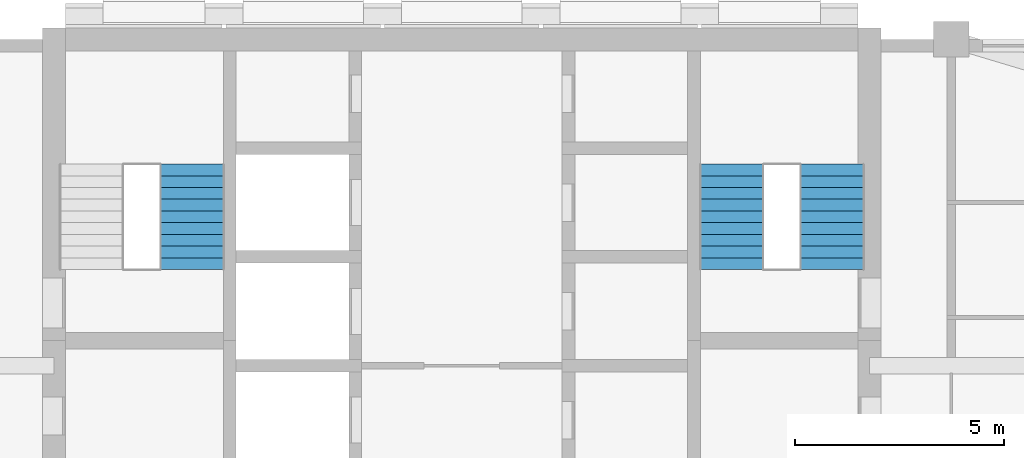
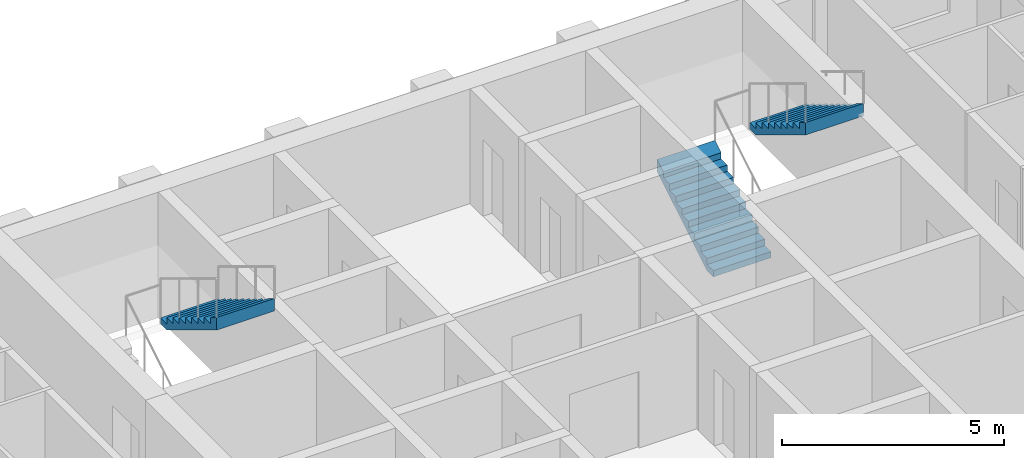
# One storey, part 12 of 14: 3 stair flights, 2 elements without a shape of their own.
"""IFC4 building model written with IfcOpenShell, lengths in metres."""

import ifcopenshell
import ifcopenshell.guid

model = None  # the IFC model being written
_history = None  # IfcOwnerHistory: only IFC2X3 demands one
_inside = {}  # id of a spatial element -> (the spatial element, [elements in it])
_under = {}  # id of a project, library or spatial element -> (it, [spatial elements below it])
_declared = {}  # id of a project -> (the project, [libraries it declares])
_typed = {}  # id of a type object -> (the type object, [elements of that type])
_made_of = {}  # id of a material, layer set ... -> (it, [elements and type objects made of it])


def new_model(schema):
    """Start an empty IFC model of exactly this schema.

    Asked for "IFC4X3", IfcOpenShell would pick the latest addendum, in which some entities
    have other attributes; the version numbers below select the first issue.
    IFC2X3 requires an IfcOwnerHistory on every rooted entity: one is made here for all.
    """
    global model, _history
    if schema == "IFC4X3":
        model = ifcopenshell.file(schema_version=(4, 3, 0, 0))
    else:
        model = ifcopenshell.file(schema=schema)
    _inside.clear()
    _under.clear()
    _declared.clear()
    _typed.clear()
    _made_of.clear()
    _history = None
    if model.schema == "IFC2X3":
        org = make("IfcOrganization", Name="unknown")
        user = make(
            "IfcPersonAndOrganization",
            ThePerson=make("IfcPerson", FamilyName="unknown"),
            TheOrganization=org,
        )
        app = make(
            "IfcApplication",
            ApplicationDeveloper=org,
            Version="unknown",
            ApplicationFullName="unknown",
            ApplicationIdentifier="unknown",
        )
        _history = make(
            "IfcOwnerHistory",
            OwningUser=user,
            OwningApplication=app,
            ChangeAction="ADDED",
            CreationDate=0,
        )
    return model


def make(cls, **values):
    """One entity of the class cls with the attributes given. An attribute that is None is left unset."""
    return model.create_entity(
        cls, **{name: value for name, value in values.items() if value is not None}
    )


def rooted(cls, **values):
    """An entity with a GlobalId (a new one), such as an element, a storey or a relation."""
    return make(cls, GlobalId=ifcopenshell.guid.new(), OwnerHistory=_history, **values)


def si_unit(unit_type, name, prefix=None):
    """IfcSIUnit, for example si_unit("LENGTHUNIT", "METRE", prefix="MILLI")."""
    return make("IfcSIUnit", UnitType=unit_type, Prefix=prefix, Name=name)


def assignment(units):
    """IfcUnitAssignment: the units of a project."""
    return None if units is None else make("IfcUnitAssignment", Units=units)


def point(xyz):
    """IfcCartesianPoint."""
    return None if xyz is None else make("IfcCartesianPoint", Coordinates=xyz)


def direction(xyz):
    """IfcDirection."""
    return None if xyz is None else make("IfcDirection", DirectionRatios=xyz)


def frame(location, z_axis=None, x_axis=None):
    """IfcAxis2Placement3D, a coordinate frame: its origin and axes. An axis left out is left unset."""
    return make(
        "IfcAxis2Placement3D",
        Location=point(location),
        Axis=direction(z_axis),
        RefDirection=direction(x_axis),
    )


def origin():
    """The frame at (0, 0, 0) with its axes left unset."""
    return frame((0.0, 0.0, 0.0))


def place(relative_to, where):
    """IfcLocalPlacement: puts the frame where relative to a parent placement (None: the world)."""
    return make(
        "IfcLocalPlacement", PlacementRelTo=relative_to, RelativePlacement=where
    )


def context(
    kind, dimensions, precision=None, world=None, true_north=None, identifier=None
):
    """IfcGeometricRepresentationContext, for example the 3D "Model" context."""
    return make(
        "IfcGeometricRepresentationContext",
        ContextIdentifier=identifier,
        ContextType=kind,
        CoordinateSpaceDimension=dimensions,
        Precision=precision,
        WorldCoordinateSystem=world,
        TrueNorth=true_north,
    )


def subcontext(parent, identifier, kind, view, scale=None):
    """IfcGeometricRepresentationSubContext, for example "Body" below "Model"."""
    return make(
        "IfcGeometricRepresentationSubContext",
        ContextIdentifier=identifier,
        ContextType=kind,
        ParentContext=parent,
        TargetScale=scale,
        TargetView=view,
    )


def project(units=None, contexts=None):
    """IfcProject with its units and contexts."""
    return rooted(
        "IfcProject",
        Name="project",
        RepresentationContexts=contexts,
        UnitsInContext=assignment(units),
    )


def spatial(cls, under=None, at=None, **own):
    """A site, building, storey or space (cls), placed at a placement, below another one or the project."""
    s = rooted(cls, ObjectPlacement=at, **own)
    if under is not None:
        _under.setdefault(under.id(), (under, []))[1].append(s)
    return s


def point_list(points):
    """IfcCartesianPointList2D or 3D."""
    cls = (
        "IfcCartesianPointList2D" if len(points[0]) == 2 else "IfcCartesianPointList3D"
    )
    return make(cls, CoordList=points)


def triangles(points, corners, closed=None, point_numbers=None):
    """IfcTriangulatedFaceSet: each triangle names its three corners, points numbered from 1."""
    return make(
        "IfcTriangulatedFaceSet",
        Coordinates=point_list(points),
        Closed=closed,
        CoordIndex=corners,
        PnIndex=point_numbers,
    )


def shape(context_of_items, identifier, shape_type, items):
    """IfcShapeRepresentation: the items that make up one representation, for example the "Body"."""
    return make(
        "IfcShapeRepresentation",
        ContextOfItems=context_of_items,
        RepresentationIdentifier=identifier,
        RepresentationType=shape_type,
        Items=items,
    )


def material(Name=None, Category=None):
    """IfcMaterial."""
    return make("IfcMaterial", Name=Name, Category=Category)


def made_of(thing, what):
    """Note that an element or type object is made of a material, layer set ...; save() writes the relation."""
    if what is not None:
        _made_of.setdefault(what.id(), (what, []))[1].append(thing)
    return thing


def type_object(cls, material=None, **own):
    """A type object (cls), such as IfcWallType, which elements share."""
    return made_of(rooted(cls, **own), material)


def element(
    cls,
    number,
    at=None,
    inside=None,
    cuts=None,
    type_object=None,
    material=None,
    context=None,
    identifier="Body",
    shape_type=None,
    held_by="IfcProductDefinitionShape",
    body=None,
    shapes=None,
    **own,
):
    """One element of the class cls, such as IfcWall. Its Tag is "e" and its number.

    at: its placement. inside: the storey or other place that contains it. cuts: it is an
    opening in that element (IfcRelVoidsElement). A single representation is given by context,
    identifier, shape_type and body (its items); several are given by shapes. held_by: the class
    of the entity that holds the representations. save() writes the other relations.
    """
    e = rooted(cls, Tag="e%d" % number, ObjectPlacement=at, **own)
    if body is not None:
        shapes = [shape(context, identifier, shape_type, body)]
    if shapes is not None:
        e.Representation = make(held_by, Representations=shapes)
    if inside is not None:
        _inside.setdefault(inside.id(), (inside, []))[1].append(e)
    if cuts is not None:
        rooted(
            "IfcRelVoidsElement", RelatingBuildingElement=cuts, RelatedOpeningElement=e
        )
    if type_object is not None:
        _typed.setdefault(type_object.id(), (type_object, []))[1].append(e)
    return made_of(e, material)


def aggregate(whole, parts):
    """IfcRelAggregates: a whole, such as a stair, and the parts it consists of."""
    return rooted("IfcRelAggregates", RelatingObject=whole, RelatedObjects=parts)


def save(model, path):
    """Write the relations noted so far, then the file.

    IfcRelAggregates (storeys below a building ...), IfcRelContainedInSpatialStructure (elements
    in a storey), IfcRelDefinesByType, IfcRelAssociatesMaterial and IfcRelDeclares: one each for
    every whole, place, type object, material and project.
    """
    for whole, parts in _under.values():
        aggregate(whole, parts)
    for where, things in _inside.values():
        rooted(
            "IfcRelContainedInSpatialStructure",
            RelatedElements=things,
            RelatingStructure=where,
        )
    for kind, things in _typed.values():
        rooted("IfcRelDefinesByType", RelatedObjects=things, RelatingType=kind)
    for what, things in _made_of.values():
        rooted("IfcRelAssociatesMaterial", RelatedObjects=things, RelatingMaterial=what)
    for by, libraries in _declared.values():
        rooted("IfcRelDeclares", RelatingContext=by, RelatedDefinitions=libraries)
    model.write(path)


model = new_model("IFC4")

# Units and contexts
model_context = context("Model", 3, precision=1e-05, world=origin(), true_north=direction((0.0, 1.0)))
body_context = subcontext(model_context, "Body", "Model", "MODEL_VIEW")
ifc_project = project(units=[si_unit("LENGTHUNIT", "METRE"), si_unit("AREAUNIT", "SQUARE_METRE"), si_unit("VOLUMEUNIT", "CUBIC_METRE"), si_unit("PLANEANGLEUNIT", "RADIAN"), si_unit("MASSUNIT", "GRAM", prefix="KILO")], contexts=[model_context])

# Site, building, storey
site_placement = place(None, origin())
site = spatial("IfcSite", under=ifc_project, at=site_placement, CompositionType="ELEMENT")
building_placement = place(site_placement, origin())
building = spatial("IfcBuilding", under=site, at=building_placement, Name="Ludao Terraces", CompositionType="ELEMENT")
storey_placement = place(building_placement, frame((0.0, 0.0, 99.89990234375)))
storey = spatial("IfcBuildingStorey", under=building, at=storey_placement, Name="L27", CompositionType="ELEMENT", Elevation=99.89990234375)

# Stair, stair flight
ifc_material = material(Name="Concrete C40", Category="concrete")
stair_type = type_object("IfcStairType", Name="INT Stair", PredefinedType="HALF_TURN_STAIR", material=ifc_material)
stair_1_placement = place(storey_placement, origin())
stair_1 = element("IfcStair", 1, at=stair_1_placement, inside=storey, type_object=stair_type, Name="EXIT STAIR 1", PredefinedType="HALF_TURN_STAIR")
stair_flight_type = type_object("IfcStairFlightType", Name="INT Stair flight", PredefinedType="STRAIGHT", material=ifc_material)
stair_flight_1_placement = place(storey_placement, frame((78.550048828125, 81.52001953125, 1.7001953125), z_axis=(0.0, 0.0, 1.0), x_axis=(0.0, -1.0, 0.0)))
stair_flight_1 = element("IfcStairFlight", 2, at=stair_flight_1_placement, type_object=stair_flight_type, Name="ST1 flight 2", NumberOfRisers=10, NumberOfTreads=9, PredefinedType="STRAIGHT", RiserHeight=0.17, TreadLength=0.28, context=body_context, shape_type="Tessellation", body=[
    triangles([(0.0, -0.75, 0.0), (0.0, -0.5, 0.0), (0.0, -0.25, 0.0), (0.0, 0.0, 0.0), (0.0, 0.25, 0.0), (0.0, 0.5, 0.0), (0.0, 0.75, 0.0), (0.0, -0.75, 0.169921875), (0.0, -0.5, 0.169921875), (0.0, -0.25, 0.169921875), (0.0, 0.0, 0.169921875), (0.0, 0.25, 0.169921875), (0.0, 0.5, 0.169921875), (0.0, 0.75, 0.169921875), (0.280029296875, -0.75, 0.169921875), (0.280029296875, -0.5, 0.169921875), (0.280029296875, -0.25, 0.169921875), (0.280029296875, 0.0, 0.169921875), (0.280029296875, 0.25, 0.169921875), (0.280029296875, 0.5, 0.169921875), (0.280029296875, 0.75, 0.169921875), (0.280029296875, -0.75, 0.340087890625), (0.280029296875, -0.5, 0.340087890625), (0.280029296875, -0.25, 0.340087890625), (0.280029296875, 0.0, 0.340087890625), (0.280029296875, 0.25, 0.340087890625), (0.280029296875, 0.5, 0.340087890625), (0.280029296875, 0.75, 0.340087890625), (0.56005859375, -0.75, 0.340087890625), (0.56005859375, -0.5, 0.340087890625), (0.56005859375, -0.25, 0.340087890625), (0.56005859375, 0.0, 0.340087890625), (0.56005859375, 0.25, 0.340087890625), (0.56005859375, 0.5, 0.340087890625), (0.56005859375, 0.75, 0.340087890625), (0.56005859375, -0.75, 0.510009765625), (0.56005859375, -0.5, 0.510009765625), (0.56005859375, -0.25, 0.510009765625), (0.56005859375, 0.0, 0.510009765625), (0.56005859375, 0.25, 0.510009765625), (0.56005859375, 0.5, 0.510009765625), (0.56005859375, 0.75, 0.510009765625), (0.840087890625, -0.75, 0.510009765625), (0.840087890625, -0.5, 0.510009765625), (0.840087890625, -0.25, 0.510009765625), (0.840087890625, 0.0, 0.510009765625), (0.840087890625, 0.25, 0.510009765625), (0.840087890625, 0.5, 0.510009765625), (0.840087890625, 0.75, 0.510009765625), (0.840087890625, -0.75, 0.679931640625), (0.840087890625, -0.5, 0.679931640625), (0.840087890625, -0.25, 0.679931640625), (0.840087890625, 0.0, 0.679931640625), (0.840087890625, 0.25, 0.679931640625), (0.840087890625, 0.5, 0.679931640625), (0.840087890625, 0.75, 0.679931640625), (1.1201171875, -0.75, 0.679931640625), (1.1201171875, -0.5, 0.679931640625), (1.1201171875, -0.25, 0.679931640625), (1.1201171875, 0.0, 0.679931640625), (1.1201171875, 0.25, 0.679931640625), (1.1201171875, 0.5, 0.679931640625), (1.1201171875, 0.75, 0.679931640625), (1.1201171875, -0.75, 0.85009765625), (1.1201171875, -0.5, 0.85009765625), (1.1201171875, -0.25, 0.85009765625), (1.1201171875, 0.0, 0.85009765625), (1.1201171875, 0.25, 0.85009765625), (1.1201171875, 0.5, 0.85009765625), (1.1201171875, 0.75, 0.85009765625), (1.39990234375, -0.75, 0.85009765625), (1.39990234375, -0.5, 0.85009765625), (1.39990234375, -0.25, 0.85009765625), (1.39990234375, 0.0, 0.85009765625), (1.39990234375, 0.25, 0.85009765625), (1.39990234375, 0.5, 0.85009765625), (1.39990234375, 0.75, 0.85009765625), (1.39990234375, -0.75, 1.02001953125), (1.39990234375, -0.5, 1.02001953125), (1.39990234375, -0.25, 1.02001953125), (1.39990234375, 0.0, 1.02001953125), (1.39990234375, 0.25, 1.02001953125), (1.39990234375, 0.5, 1.02001953125), (1.39990234375, 0.75, 1.02001953125), (1.679931640625, -0.75, 1.02001953125), (1.679931640625, -0.5, 1.02001953125), (1.679931640625, -0.25, 1.02001953125), (1.679931640625, 0.0, 1.02001953125), (1.679931640625, 0.25, 1.02001953125), (1.679931640625, 0.5, 1.02001953125), (1.679931640625, 0.75, 1.02001953125), (1.679931640625, -0.75, 1.18994140625), (1.679931640625, -0.5, 1.18994140625), (1.679931640625, -0.25, 1.18994140625), (1.679931640625, 0.0, 1.18994140625), (1.679931640625, 0.25, 1.18994140625), (1.679931640625, 0.5, 1.18994140625), (1.679931640625, 0.75, 1.18994140625), (1.9599609375, -0.75, 1.18994140625), (1.9599609375, -0.5, 1.18994140625), (1.9599609375, -0.25, 1.18994140625), (1.9599609375, 0.0, 1.18994140625), (1.9599609375, 0.25, 1.18994140625), (1.9599609375, 0.5, 1.18994140625), (1.9599609375, 0.75, 1.18994140625), (1.9599609375, -0.75, 1.360107421875), (1.9599609375, -0.5, 1.360107421875), (1.9599609375, -0.25, 1.360107421875), (1.9599609375, 0.0, 1.360107421875), (1.9599609375, 0.25, 1.360107421875), (1.9599609375, 0.5, 1.360107421875), (1.9599609375, 0.75, 1.360107421875), (2.239990234375, -0.75, 1.360107421875), (2.239990234375, -0.5, 1.360107421875), (2.239990234375, -0.25, 1.360107421875), (2.239990234375, 0.0, 1.360107421875), (2.239990234375, 0.25, 1.360107421875), (2.239990234375, 0.5, 1.360107421875), (2.239990234375, 0.75, 1.360107421875), (2.239990234375, -0.75, 1.530029296875), (2.239990234375, -0.5, 1.530029296875), (2.239990234375, -0.25, 1.530029296875), (2.239990234375, 0.0, 1.530029296875), (2.239990234375, 0.25, 1.530029296875), (2.239990234375, 0.5, 1.530029296875), (2.239990234375, 0.75, 1.530029296875), (2.52001953125, -0.75, 1.699951171875), (2.52001953125, -0.5, 1.699951171875), (2.52001953125, -0.25, 1.699951171875), (2.52001953125, 0.0, 1.699951171875), (2.52001953125, 0.25, 1.699951171875), (2.52001953125, 0.5, 1.699951171875), (2.52001953125, 0.75, 1.699951171875), (2.52001953125, -0.75, 1.354736328125), (2.52001953125, -0.5, 1.354736328125), (2.52001953125, -0.25, 1.354736328125), (2.52001953125, 0.0, 1.354736328125), (2.52001953125, 0.25, 1.354736328125), (2.52001953125, 0.5, 1.354736328125), (2.52001953125, 0.75, 1.354736328125), (0.288818359375, -0.75, 0.0), (0.288818359375, -0.5, 0.0), (0.288818359375, -0.25, 0.0), (0.288818359375, 0.0, 0.0), (0.288818359375, 0.25, 0.0), (0.288818359375, 0.5, 0.0), (0.288818359375, 0.75, 0.0)], [[1, 141, 134], [7, 140, 147], [134, 127, 120], [140, 126, 133], [134, 120, 113], [140, 119, 126], [134, 113, 106], [140, 112, 119], [134, 106, 99], [140, 105, 112], [99, 92, 85], [105, 91, 98], [134, 99, 85], [140, 91, 105], [85, 78, 71], [91, 77, 84], [134, 85, 71], [140, 77, 91], [71, 64, 57], [77, 63, 70], [134, 71, 57], [140, 63, 77], [57, 50, 43], [63, 49, 56], [134, 57, 43], [140, 49, 63], [43, 36, 29], [49, 35, 42], [134, 43, 29], [140, 35, 49], [29, 22, 15], [35, 21, 28], [134, 29, 15], [140, 21, 35], [1, 134, 15], [7, 21, 140], [15, 8, 1], [21, 7, 14], [1, 9, 2], [1, 8, 9], [2, 10, 3], [2, 9, 10], [3, 11, 4], [3, 10, 11], [4, 12, 5], [4, 11, 12], [5, 13, 6], [5, 12, 13], [6, 14, 7], [6, 13, 14], [8, 16, 9], [8, 15, 16], [9, 17, 10], [9, 16, 17], [10, 18, 11], [10, 17, 18], [11, 19, 12], [11, 18, 19], [12, 20, 13], [12, 19, 20], [13, 21, 14], [13, 20, 21], [15, 23, 16], [15, 22, 23], [16, 24, 17], [16, 23, 24], [17, 25, 18], [17, 24, 25], [18, 26, 19], [18, 25, 26], [19, 27, 20], [19, 26, 27], [20, 28, 21], [20, 27, 28], [22, 30, 23], [22, 29, 30], [23, 31, 24], [23, 30, 31], [24, 32, 25], [24, 31, 32], [25, 33, 26], [25, 32, 33], [26, 34, 27], [26, 33, 34], [27, 35, 28], [27, 34, 35], [29, 37, 30], [29, 36, 37], [30, 38, 31], [30, 37, 38], [31, 39, 32], [31, 38, 39], [32, 40, 33], [32, 39, 40], [33, 41, 34], [33, 40, 41], [34, 42, 35], [34, 41, 42], [36, 44, 37], [36, 43, 44], [37, 45, 38], [37, 44, 45], [38, 46, 39], [38, 45, 46], [39, 47, 40], [39, 46, 47], [40, 48, 41], [40, 47, 48], [41, 49, 42], [41, 48, 49], [43, 51, 44], [43, 50, 51], [44, 52, 45], [44, 51, 52], [45, 53, 46], [45, 52, 53], [46, 54, 47], [46, 53, 54], [47, 55, 48], [47, 54, 55], [48, 56, 49], [48, 55, 56], [50, 58, 51], [50, 57, 58], [51, 59, 52], [51, 58, 59], [52, 60, 53], [52, 59, 60], [53, 61, 54], [53, 60, 61], [54, 62, 55], [54, 61, 62], [55, 63, 56], [55, 62, 63], [57, 65, 58], [57, 64, 65], [58, 66, 59], [58, 65, 66], [59, 67, 60], [59, 66, 67], [60, 68, 61], [60, 67, 68], [61, 69, 62], [61, 68, 69], [62, 70, 63], [62, 69, 70], [64, 72, 65], [64, 71, 72], [65, 73, 66], [65, 72, 73], [66, 74, 67], [66, 73, 74], [67, 75, 68], [67, 74, 75], [68, 76, 69], [68, 75, 76], [69, 77, 70], [69, 76, 77], [71, 79, 72], [71, 78, 79], [72, 80, 73], [72, 79, 80], [73, 81, 74], [73, 80, 81], [74, 82, 75], [74, 81, 82], [75, 83, 76], [75, 82, 83], [76, 84, 77], [76, 83, 84], [78, 86, 79], [78, 85, 86], [79, 87, 80], [79, 86, 87], [80, 88, 81], [80, 87, 88], [81, 89, 82], [81, 88, 89], [82, 90, 83], [82, 89, 90], [83, 91, 84], [83, 90, 91], [85, 93, 86], [85, 92, 93], [86, 94, 87], [86, 93, 94], [87, 95, 88], [87, 94, 95], [88, 96, 89], [88, 95, 96], [89, 97, 90], [89, 96, 97], [90, 98, 91], [90, 97, 98], [92, 100, 93], [92, 99, 100], [93, 101, 94], [93, 100, 101], [94, 102, 95], [94, 101, 102], [95, 103, 96], [95, 102, 103], [96, 104, 97], [96, 103, 104], [97, 105, 98], [97, 104, 105], [99, 107, 100], [99, 106, 107], [100, 108, 101], [100, 107, 108], [101, 109, 102], [101, 108, 109], [102, 110, 103], [102, 109, 110], [103, 111, 104], [103, 110, 111], [104, 112, 105], [104, 111, 112], [106, 114, 107], [106, 113, 114], [107, 115, 108], [107, 114, 115], [108, 116, 109], [108, 115, 116], [109, 117, 110], [109, 116, 117], [110, 118, 111], [110, 117, 118], [111, 119, 112], [111, 118, 119], [113, 121, 114], [113, 120, 121], [114, 122, 115], [114, 121, 122], [115, 123, 116], [115, 122, 123], [116, 124, 117], [116, 123, 124], [117, 125, 118], [117, 124, 125], [118, 126, 119], [118, 125, 126], [120, 128, 121], [120, 127, 128], [121, 129, 122], [121, 128, 129], [122, 130, 123], [122, 129, 130], [123, 131, 124], [123, 130, 131], [124, 132, 125], [124, 131, 132], [125, 133, 126], [125, 132, 133], [127, 135, 128], [127, 134, 135], [128, 136, 129], [128, 135, 136], [129, 137, 130], [129, 136, 137], [130, 138, 131], [130, 137, 138], [131, 139, 132], [131, 138, 139], [132, 140, 133], [132, 139, 140], [134, 142, 135], [134, 141, 142], [135, 143, 136], [135, 142, 143], [136, 144, 137], [136, 143, 144], [137, 145, 138], [137, 144, 145], [138, 146, 139], [138, 145, 146], [139, 147, 140], [139, 146, 147], [141, 2, 142], [141, 1, 2], [142, 3, 143], [142, 2, 3], [143, 4, 144], [143, 3, 4], [144, 5, 145], [144, 4, 5], [145, 6, 146], [145, 5, 6], [146, 7, 147], [146, 6, 7]], closed=True),
])
aggregate(stair_1, [stair_flight_1])

# Stair, stair flights
stair_2_placement = place(storey_placement, origin())
stair_2 = element("IfcStair", 3, at=stair_2_placement, inside=storey, type_object=stair_type, Name="EXIT STAIR 2", PredefinedType="HALF_TURN_STAIR")
stair_flight_2_placement = place(storey_placement, frame((91.449951171875, 79.0, 0.0), z_axis=(0.0, 0.0, 1.0), x_axis=(0.0, 1.0, 0.0)))
stair_flight_2 = element("IfcStairFlight", 4, at=stair_flight_2_placement, type_object=stair_flight_type, Name="ST2 flight 1", NumberOfRisers=10, NumberOfTreads=9, PredefinedType="STRAIGHT", RiserHeight=0.17, TreadLength=0.28, context=body_context, shape_type="Tessellation", body=[
    triangles([(0.0, -0.75, 0.0), (0.0, -0.5, 0.0), (0.0, -0.25, 0.0), (0.0, 0.0, 0.0), (0.0, 0.25, 0.0), (0.0, 0.5, 0.0), (0.0, 0.75, 0.0), (0.0, -0.75, 0.169921875), (0.0, -0.5, 0.169921875), (0.0, -0.25, 0.169921875), (0.0, 0.0, 0.169921875), (0.0, 0.25, 0.169921875), (0.0, 0.5, 0.169921875), (0.0, 0.75, 0.169921875), (0.280029296875, -0.75, 0.169921875), (0.280029296875, -0.5, 0.169921875), (0.280029296875, -0.25, 0.169921875), (0.280029296875, 0.0, 0.169921875), (0.280029296875, 0.25, 0.169921875), (0.280029296875, 0.5, 0.169921875), (0.280029296875, 0.75, 0.169921875), (0.280029296875, -0.75, 0.340087890625), (0.280029296875, -0.5, 0.340087890625), (0.280029296875, -0.25, 0.340087890625), (0.280029296875, 0.0, 0.340087890625), (0.280029296875, 0.25, 0.340087890625), (0.280029296875, 0.5, 0.340087890625), (0.280029296875, 0.75, 0.340087890625), (0.56005859375, -0.75, 0.340087890625), (0.56005859375, -0.5, 0.340087890625), (0.56005859375, -0.25, 0.340087890625), (0.56005859375, 0.0, 0.340087890625), (0.56005859375, 0.25, 0.340087890625), (0.56005859375, 0.5, 0.340087890625), (0.56005859375, 0.75, 0.340087890625), (0.56005859375, -0.75, 0.510009765625), (0.56005859375, -0.5, 0.510009765625), (0.56005859375, -0.25, 0.510009765625), (0.56005859375, 0.0, 0.510009765625), (0.56005859375, 0.25, 0.510009765625), (0.56005859375, 0.5, 0.510009765625), (0.56005859375, 0.75, 0.510009765625), (0.840087890625, -0.75, 0.510009765625), (0.840087890625, -0.5, 0.510009765625), (0.840087890625, -0.25, 0.510009765625), (0.840087890625, 0.0, 0.510009765625), (0.840087890625, 0.25, 0.510009765625), (0.840087890625, 0.5, 0.510009765625), (0.840087890625, 0.75, 0.510009765625), (0.840087890625, -0.75, 0.679931640625), (0.840087890625, -0.5, 0.679931640625), (0.840087890625, -0.25, 0.679931640625), (0.840087890625, 0.0, 0.679931640625), (0.840087890625, 0.25, 0.679931640625), (0.840087890625, 0.5, 0.679931640625), (0.840087890625, 0.75, 0.679931640625), (1.1201171875, -0.75, 0.679931640625), (1.1201171875, -0.5, 0.679931640625), (1.1201171875, -0.25, 0.679931640625), (1.1201171875, 0.0, 0.679931640625), (1.1201171875, 0.25, 0.679931640625), (1.1201171875, 0.5, 0.679931640625), (1.1201171875, 0.75, 0.679931640625), (1.1201171875, -0.75, 0.85009765625), (1.1201171875, -0.5, 0.85009765625), (1.1201171875, -0.25, 0.85009765625), (1.1201171875, 0.0, 0.85009765625), (1.1201171875, 0.25, 0.85009765625), (1.1201171875, 0.5, 0.85009765625), (1.1201171875, 0.75, 0.85009765625), (1.39990234375, -0.75, 0.85009765625), (1.39990234375, -0.5, 0.85009765625), (1.39990234375, -0.25, 0.85009765625), (1.39990234375, 0.0, 0.85009765625), (1.39990234375, 0.25, 0.85009765625), (1.39990234375, 0.5, 0.85009765625), (1.39990234375, 0.75, 0.85009765625), (1.39990234375, -0.75, 1.02001953125), (1.39990234375, -0.5, 1.02001953125), (1.39990234375, -0.25, 1.02001953125), (1.39990234375, 0.0, 1.02001953125), (1.39990234375, 0.25, 1.02001953125), (1.39990234375, 0.5, 1.02001953125), (1.39990234375, 0.75, 1.02001953125), (1.679931640625, -0.75, 1.02001953125), (1.679931640625, -0.5, 1.02001953125), (1.679931640625, -0.25, 1.02001953125), (1.679931640625, 0.0, 1.02001953125), (1.679931640625, 0.25, 1.02001953125), (1.679931640625, 0.5, 1.02001953125), (1.679931640625, 0.75, 1.02001953125), (1.679931640625, -0.75, 1.18994140625), (1.679931640625, -0.5, 1.18994140625), (1.679931640625, -0.25, 1.18994140625), (1.679931640625, 0.0, 1.18994140625), (1.679931640625, 0.25, 1.18994140625), (1.679931640625, 0.5, 1.18994140625), (1.679931640625, 0.75, 1.18994140625), (1.9599609375, -0.75, 1.18994140625), (1.9599609375, -0.5, 1.18994140625), (1.9599609375, -0.25, 1.18994140625), (1.9599609375, 0.0, 1.18994140625), (1.9599609375, 0.25, 1.18994140625), (1.9599609375, 0.5, 1.18994140625), (1.9599609375, 0.75, 1.18994140625), (1.9599609375, -0.75, 1.360107421875), (1.9599609375, -0.5, 1.360107421875), (1.9599609375, -0.25, 1.360107421875), (1.9599609375, 0.0, 1.360107421875), (1.9599609375, 0.25, 1.360107421875), (1.9599609375, 0.5, 1.360107421875), (1.9599609375, 0.75, 1.360107421875), (2.239990234375, -0.75, 1.360107421875), (2.239990234375, -0.5, 1.360107421875), (2.239990234375, -0.25, 1.360107421875), (2.239990234375, 0.0, 1.360107421875), (2.239990234375, 0.25, 1.360107421875), (2.239990234375, 0.5, 1.360107421875), (2.239990234375, 0.75, 1.360107421875), (2.239990234375, -0.75, 1.530029296875), (2.239990234375, -0.5, 1.530029296875), (2.239990234375, -0.25, 1.530029296875), (2.239990234375, 0.0, 1.530029296875), (2.239990234375, 0.25, 1.530029296875), (2.239990234375, 0.5, 1.530029296875), (2.239990234375, 0.75, 1.530029296875), (2.52001953125, -0.75, 1.699951171875), (2.52001953125, -0.5, 1.699951171875), (2.52001953125, -0.25, 1.699951171875), (2.52001953125, 0.0, 1.699951171875), (2.52001953125, 0.25, 1.699951171875), (2.52001953125, 0.5, 1.699951171875), (2.52001953125, 0.75, 1.699951171875), (2.52001953125, -0.75, 1.354736328125), (2.52001953125, -0.5, 1.354736328125), (2.52001953125, -0.25, 1.354736328125), (2.52001953125, 0.0, 1.354736328125), (2.52001953125, 0.25, 1.354736328125), (2.52001953125, 0.5, 1.354736328125), (2.52001953125, 0.75, 1.354736328125), (0.288818359375, -0.75, 0.0), (0.288818359375, -0.5, 0.0), (0.288818359375, -0.25, 0.0), (0.288818359375, 0.0, 0.0), (0.288818359375, 0.25, 0.0), (0.288818359375, 0.5, 0.0), (0.288818359375, 0.75, 0.0)], [[1, 141, 134], [7, 140, 147], [134, 127, 120], [140, 126, 133], [134, 120, 113], [140, 119, 126], [134, 113, 106], [140, 112, 119], [134, 106, 99], [140, 105, 112], [99, 92, 85], [105, 91, 98], [134, 99, 85], [140, 91, 105], [85, 78, 71], [91, 77, 84], [134, 85, 71], [140, 77, 91], [71, 64, 57], [77, 63, 70], [134, 71, 57], [140, 63, 77], [57, 50, 43], [63, 49, 56], [134, 57, 43], [140, 49, 63], [43, 36, 29], [49, 35, 42], [134, 43, 29], [140, 35, 49], [29, 22, 15], [35, 21, 28], [134, 29, 15], [140, 21, 35], [1, 134, 15], [7, 21, 140], [15, 8, 1], [21, 7, 14], [1, 9, 2], [1, 8, 9], [2, 10, 3], [2, 9, 10], [3, 11, 4], [3, 10, 11], [4, 12, 5], [4, 11, 12], [5, 13, 6], [5, 12, 13], [6, 14, 7], [6, 13, 14], [8, 16, 9], [8, 15, 16], [9, 17, 10], [9, 16, 17], [10, 18, 11], [10, 17, 18], [11, 19, 12], [11, 18, 19], [12, 20, 13], [12, 19, 20], [13, 21, 14], [13, 20, 21], [15, 23, 16], [15, 22, 23], [16, 24, 17], [16, 23, 24], [17, 25, 18], [17, 24, 25], [18, 26, 19], [18, 25, 26], [19, 27, 20], [19, 26, 27], [20, 28, 21], [20, 27, 28], [22, 30, 23], [22, 29, 30], [23, 31, 24], [23, 30, 31], [24, 32, 25], [24, 31, 32], [25, 33, 26], [25, 32, 33], [26, 34, 27], [26, 33, 34], [27, 35, 28], [27, 34, 35], [29, 37, 30], [29, 36, 37], [30, 38, 31], [30, 37, 38], [31, 39, 32], [31, 38, 39], [32, 40, 33], [32, 39, 40], [33, 41, 34], [33, 40, 41], [34, 42, 35], [34, 41, 42], [36, 44, 37], [36, 43, 44], [37, 45, 38], [37, 44, 45], [38, 46, 39], [38, 45, 46], [39, 47, 40], [39, 46, 47], [40, 48, 41], [40, 47, 48], [41, 49, 42], [41, 48, 49], [43, 51, 44], [43, 50, 51], [44, 52, 45], [44, 51, 52], [45, 53, 46], [45, 52, 53], [46, 54, 47], [46, 53, 54], [47, 55, 48], [47, 54, 55], [48, 56, 49], [48, 55, 56], [50, 58, 51], [50, 57, 58], [51, 59, 52], [51, 58, 59], [52, 60, 53], [52, 59, 60], [53, 61, 54], [53, 60, 61], [54, 62, 55], [54, 61, 62], [55, 63, 56], [55, 62, 63], [57, 65, 58], [57, 64, 65], [58, 66, 59], [58, 65, 66], [59, 67, 60], [59, 66, 67], [60, 68, 61], [60, 67, 68], [61, 69, 62], [61, 68, 69], [62, 70, 63], [62, 69, 70], [64, 72, 65], [64, 71, 72], [65, 73, 66], [65, 72, 73], [66, 74, 67], [66, 73, 74], [67, 75, 68], [67, 74, 75], [68, 76, 69], [68, 75, 76], [69, 77, 70], [69, 76, 77], [71, 79, 72], [71, 78, 79], [72, 80, 73], [72, 79, 80], [73, 81, 74], [73, 80, 81], [74, 82, 75], [74, 81, 82], [75, 83, 76], [75, 82, 83], [76, 84, 77], [76, 83, 84], [78, 86, 79], [78, 85, 86], [79, 87, 80], [79, 86, 87], [80, 88, 81], [80, 87, 88], [81, 89, 82], [81, 88, 89], [82, 90, 83], [82, 89, 90], [83, 91, 84], [83, 90, 91], [85, 93, 86], [85, 92, 93], [86, 94, 87], [86, 93, 94], [87, 95, 88], [87, 94, 95], [88, 96, 89], [88, 95, 96], [89, 97, 90], [89, 96, 97], [90, 98, 91], [90, 97, 98], [92, 100, 93], [92, 99, 100], [93, 101, 94], [93, 100, 101], [94, 102, 95], [94, 101, 102], [95, 103, 96], [95, 102, 103], [96, 104, 97], [96, 103, 104], [97, 105, 98], [97, 104, 105], [99, 107, 100], [99, 106, 107], [100, 108, 101], [100, 107, 108], [101, 109, 102], [101, 108, 109], [102, 110, 103], [102, 109, 110], [103, 111, 104], [103, 110, 111], [104, 112, 105], [104, 111, 112], [106, 114, 107], [106, 113, 114], [107, 115, 108], [107, 114, 115], [108, 116, 109], [108, 115, 116], [109, 117, 110], [109, 116, 117], [110, 118, 111], [110, 117, 118], [111, 119, 112], [111, 118, 119], [113, 121, 114], [113, 120, 121], [114, 122, 115], [114, 121, 122], [115, 123, 116], [115, 122, 123], [116, 124, 117], [116, 123, 124], [117, 125, 118], [117, 124, 125], [118, 126, 119], [118, 125, 126], [120, 128, 121], [120, 127, 128], [121, 129, 122], [121, 128, 129], [122, 130, 123], [122, 129, 130], [123, 131, 124], [123, 130, 131], [124, 132, 125], [124, 131, 132], [125, 133, 126], [125, 132, 133], [127, 135, 128], [127, 134, 135], [128, 136, 129], [128, 135, 136], [129, 137, 130], [129, 136, 137], [130, 138, 131], [130, 137, 138], [131, 139, 132], [131, 138, 139], [132, 140, 133], [132, 139, 140], [134, 142, 135], [134, 141, 142], [135, 143, 136], [135, 142, 143], [136, 144, 137], [136, 143, 144], [137, 145, 138], [137, 144, 145], [138, 146, 139], [138, 145, 146], [139, 147, 140], [139, 146, 147], [141, 2, 142], [141, 1, 2], [142, 3, 143], [142, 2, 3], [143, 4, 144], [143, 3, 4], [144, 5, 145], [144, 4, 5], [145, 6, 146], [145, 5, 6], [146, 7, 147], [146, 6, 7]], closed=True),
])
stair_flight_3_placement = place(storey_placement, frame((93.85009765625, 81.52001953125, 1.7001953125), z_axis=(0.0, 0.0, 1.0), x_axis=(0.0, -1.0, 0.0)))
stair_flight_3 = element("IfcStairFlight", 5, at=stair_flight_3_placement, type_object=stair_flight_type, Name="ST2 flight 2", NumberOfRisers=10, NumberOfTreads=9, PredefinedType="STRAIGHT", RiserHeight=0.17, TreadLength=0.28, context=body_context, shape_type="Tessellation", body=[
    triangles([(0.0, -0.75, 0.0), (0.0, -0.5, 0.0), (0.0, -0.25, 0.0), (0.0, 0.0, 0.0), (0.0, 0.25, 0.0), (0.0, 0.5, 0.0), (0.0, 0.75, 0.0), (0.0, -0.75, 0.169921875), (0.0, -0.5, 0.169921875), (0.0, -0.25, 0.169921875), (0.0, 0.0, 0.169921875), (0.0, 0.25, 0.169921875), (0.0, 0.5, 0.169921875), (0.0, 0.75, 0.169921875), (0.280029296875, -0.75, 0.169921875), (0.280029296875, -0.5, 0.169921875), (0.280029296875, -0.25, 0.169921875), (0.280029296875, 0.0, 0.169921875), (0.280029296875, 0.25, 0.169921875), (0.280029296875, 0.5, 0.169921875), (0.280029296875, 0.75, 0.169921875), (0.280029296875, -0.75, 0.340087890625), (0.280029296875, -0.5, 0.340087890625), (0.280029296875, -0.25, 0.340087890625), (0.280029296875, 0.0, 0.340087890625), (0.280029296875, 0.25, 0.340087890625), (0.280029296875, 0.5, 0.340087890625), (0.280029296875, 0.75, 0.340087890625), (0.56005859375, -0.75, 0.340087890625), (0.56005859375, -0.5, 0.340087890625), (0.56005859375, -0.25, 0.340087890625), (0.56005859375, 0.0, 0.340087890625), (0.56005859375, 0.25, 0.340087890625), (0.56005859375, 0.5, 0.340087890625), (0.56005859375, 0.75, 0.340087890625), (0.56005859375, -0.75, 0.510009765625), (0.56005859375, -0.5, 0.510009765625), (0.56005859375, -0.25, 0.510009765625), (0.56005859375, 0.0, 0.510009765625), (0.56005859375, 0.25, 0.510009765625), (0.56005859375, 0.5, 0.510009765625), (0.56005859375, 0.75, 0.510009765625), (0.840087890625, -0.75, 0.510009765625), (0.840087890625, -0.5, 0.510009765625), (0.840087890625, -0.25, 0.510009765625), (0.840087890625, 0.0, 0.510009765625), (0.840087890625, 0.25, 0.510009765625), (0.840087890625, 0.5, 0.510009765625), (0.840087890625, 0.75, 0.510009765625), (0.840087890625, -0.75, 0.679931640625), (0.840087890625, -0.5, 0.679931640625), (0.840087890625, -0.25, 0.679931640625), (0.840087890625, 0.0, 0.679931640625), (0.840087890625, 0.25, 0.679931640625), (0.840087890625, 0.5, 0.679931640625), (0.840087890625, 0.75, 0.679931640625), (1.1201171875, -0.75, 0.679931640625), (1.1201171875, -0.5, 0.679931640625), (1.1201171875, -0.25, 0.679931640625), (1.1201171875, 0.0, 0.679931640625), (1.1201171875, 0.25, 0.679931640625), (1.1201171875, 0.5, 0.679931640625), (1.1201171875, 0.75, 0.679931640625), (1.1201171875, -0.75, 0.85009765625), (1.1201171875, -0.5, 0.85009765625), (1.1201171875, -0.25, 0.85009765625), (1.1201171875, 0.0, 0.85009765625), (1.1201171875, 0.25, 0.85009765625), (1.1201171875, 0.5, 0.85009765625), (1.1201171875, 0.75, 0.85009765625), (1.39990234375, -0.75, 0.85009765625), (1.39990234375, -0.5, 0.85009765625), (1.39990234375, -0.25, 0.85009765625), (1.39990234375, 0.0, 0.85009765625), (1.39990234375, 0.25, 0.85009765625), (1.39990234375, 0.5, 0.85009765625), (1.39990234375, 0.75, 0.85009765625), (1.39990234375, -0.75, 1.02001953125), (1.39990234375, -0.5, 1.02001953125), (1.39990234375, -0.25, 1.02001953125), (1.39990234375, 0.0, 1.02001953125), (1.39990234375, 0.25, 1.02001953125), (1.39990234375, 0.5, 1.02001953125), (1.39990234375, 0.75, 1.02001953125), (1.679931640625, -0.75, 1.02001953125), (1.679931640625, -0.5, 1.02001953125), (1.679931640625, -0.25, 1.02001953125), (1.679931640625, 0.0, 1.02001953125), (1.679931640625, 0.25, 1.02001953125), (1.679931640625, 0.5, 1.02001953125), (1.679931640625, 0.75, 1.02001953125), (1.679931640625, -0.75, 1.18994140625), (1.679931640625, -0.5, 1.18994140625), (1.679931640625, -0.25, 1.18994140625), (1.679931640625, 0.0, 1.18994140625), (1.679931640625, 0.25, 1.18994140625), (1.679931640625, 0.5, 1.18994140625), (1.679931640625, 0.75, 1.18994140625), (1.9599609375, -0.75, 1.18994140625), (1.9599609375, -0.5, 1.18994140625), (1.9599609375, -0.25, 1.18994140625), (1.9599609375, 0.0, 1.18994140625), (1.9599609375, 0.25, 1.18994140625), (1.9599609375, 0.5, 1.18994140625), (1.9599609375, 0.75, 1.18994140625), (1.9599609375, -0.75, 1.360107421875), (1.9599609375, -0.5, 1.360107421875), (1.9599609375, -0.25, 1.360107421875), (1.9599609375, 0.0, 1.360107421875), (1.9599609375, 0.25, 1.360107421875), (1.9599609375, 0.5, 1.360107421875), (1.9599609375, 0.75, 1.360107421875), (2.239990234375, -0.75, 1.360107421875), (2.239990234375, -0.5, 1.360107421875), (2.239990234375, -0.25, 1.360107421875), (2.239990234375, 0.0, 1.360107421875), (2.239990234375, 0.25, 1.360107421875), (2.239990234375, 0.5, 1.360107421875), (2.239990234375, 0.75, 1.360107421875), (2.239990234375, -0.75, 1.530029296875), (2.239990234375, -0.5, 1.530029296875), (2.239990234375, -0.25, 1.530029296875), (2.239990234375, 0.0, 1.530029296875), (2.239990234375, 0.25, 1.530029296875), (2.239990234375, 0.5, 1.530029296875), (2.239990234375, 0.75, 1.530029296875), (2.52001953125, -0.75, 1.699951171875), (2.52001953125, -0.5, 1.699951171875), (2.52001953125, -0.25, 1.699951171875), (2.52001953125, 0.0, 1.699951171875), (2.52001953125, 0.25, 1.699951171875), (2.52001953125, 0.5, 1.699951171875), (2.52001953125, 0.75, 1.699951171875), (2.52001953125, -0.75, 1.354736328125), (2.52001953125, -0.5, 1.354736328125), (2.52001953125, -0.25, 1.354736328125), (2.52001953125, 0.0, 1.354736328125), (2.52001953125, 0.25, 1.354736328125), (2.52001953125, 0.5, 1.354736328125), (2.52001953125, 0.75, 1.354736328125), (0.288818359375, -0.75, 0.0), (0.288818359375, -0.5, 0.0), (0.288818359375, -0.25, 0.0), (0.288818359375, 0.0, 0.0), (0.288818359375, 0.25, 0.0), (0.288818359375, 0.5, 0.0), (0.288818359375, 0.75, 0.0)], [[1, 141, 134], [7, 140, 147], [134, 127, 120], [140, 126, 133], [134, 120, 113], [140, 119, 126], [134, 113, 106], [140, 112, 119], [134, 106, 99], [140, 105, 112], [99, 92, 85], [105, 91, 98], [134, 99, 85], [140, 91, 105], [85, 78, 71], [91, 77, 84], [134, 85, 71], [140, 77, 91], [71, 64, 57], [77, 63, 70], [134, 71, 57], [140, 63, 77], [57, 50, 43], [63, 49, 56], [134, 57, 43], [140, 49, 63], [43, 36, 29], [49, 35, 42], [134, 43, 29], [140, 35, 49], [29, 22, 15], [35, 21, 28], [134, 29, 15], [140, 21, 35], [1, 134, 15], [7, 21, 140], [15, 8, 1], [21, 7, 14], [1, 9, 2], [1, 8, 9], [2, 10, 3], [2, 9, 10], [3, 11, 4], [3, 10, 11], [4, 12, 5], [4, 11, 12], [5, 13, 6], [5, 12, 13], [6, 14, 7], [6, 13, 14], [8, 16, 9], [8, 15, 16], [9, 17, 10], [9, 16, 17], [10, 18, 11], [10, 17, 18], [11, 19, 12], [11, 18, 19], [12, 20, 13], [12, 19, 20], [13, 21, 14], [13, 20, 21], [15, 23, 16], [15, 22, 23], [16, 24, 17], [16, 23, 24], [17, 25, 18], [17, 24, 25], [18, 26, 19], [18, 25, 26], [19, 27, 20], [19, 26, 27], [20, 28, 21], [20, 27, 28], [22, 30, 23], [22, 29, 30], [23, 31, 24], [23, 30, 31], [24, 32, 25], [24, 31, 32], [25, 33, 26], [25, 32, 33], [26, 34, 27], [26, 33, 34], [27, 35, 28], [27, 34, 35], [29, 37, 30], [29, 36, 37], [30, 38, 31], [30, 37, 38], [31, 39, 32], [31, 38, 39], [32, 40, 33], [32, 39, 40], [33, 41, 34], [33, 40, 41], [34, 42, 35], [34, 41, 42], [36, 44, 37], [36, 43, 44], [37, 45, 38], [37, 44, 45], [38, 46, 39], [38, 45, 46], [39, 47, 40], [39, 46, 47], [40, 48, 41], [40, 47, 48], [41, 49, 42], [41, 48, 49], [43, 51, 44], [43, 50, 51], [44, 52, 45], [44, 51, 52], [45, 53, 46], [45, 52, 53], [46, 54, 47], [46, 53, 54], [47, 55, 48], [47, 54, 55], [48, 56, 49], [48, 55, 56], [50, 58, 51], [50, 57, 58], [51, 59, 52], [51, 58, 59], [52, 60, 53], [52, 59, 60], [53, 61, 54], [53, 60, 61], [54, 62, 55], [54, 61, 62], [55, 63, 56], [55, 62, 63], [57, 65, 58], [57, 64, 65], [58, 66, 59], [58, 65, 66], [59, 67, 60], [59, 66, 67], [60, 68, 61], [60, 67, 68], [61, 69, 62], [61, 68, 69], [62, 70, 63], [62, 69, 70], [64, 72, 65], [64, 71, 72], [65, 73, 66], [65, 72, 73], [66, 74, 67], [66, 73, 74], [67, 75, 68], [67, 74, 75], [68, 76, 69], [68, 75, 76], [69, 77, 70], [69, 76, 77], [71, 79, 72], [71, 78, 79], [72, 80, 73], [72, 79, 80], [73, 81, 74], [73, 80, 81], [74, 82, 75], [74, 81, 82], [75, 83, 76], [75, 82, 83], [76, 84, 77], [76, 83, 84], [78, 86, 79], [78, 85, 86], [79, 87, 80], [79, 86, 87], [80, 88, 81], [80, 87, 88], [81, 89, 82], [81, 88, 89], [82, 90, 83], [82, 89, 90], [83, 91, 84], [83, 90, 91], [85, 93, 86], [85, 92, 93], [86, 94, 87], [86, 93, 94], [87, 95, 88], [87, 94, 95], [88, 96, 89], [88, 95, 96], [89, 97, 90], [89, 96, 97], [90, 98, 91], [90, 97, 98], [92, 100, 93], [92, 99, 100], [93, 101, 94], [93, 100, 101], [94, 102, 95], [94, 101, 102], [95, 103, 96], [95, 102, 103], [96, 104, 97], [96, 103, 104], [97, 105, 98], [97, 104, 105], [99, 107, 100], [99, 106, 107], [100, 108, 101], [100, 107, 108], [101, 109, 102], [101, 108, 109], [102, 110, 103], [102, 109, 110], [103, 111, 104], [103, 110, 111], [104, 112, 105], [104, 111, 112], [106, 114, 107], [106, 113, 114], [107, 115, 108], [107, 114, 115], [108, 116, 109], [108, 115, 116], [109, 117, 110], [109, 116, 117], [110, 118, 111], [110, 117, 118], [111, 119, 112], [111, 118, 119], [113, 121, 114], [113, 120, 121], [114, 122, 115], [114, 121, 122], [115, 123, 116], [115, 122, 123], [116, 124, 117], [116, 123, 124], [117, 125, 118], [117, 124, 125], [118, 126, 119], [118, 125, 126], [120, 128, 121], [120, 127, 128], [121, 129, 122], [121, 128, 129], [122, 130, 123], [122, 129, 130], [123, 131, 124], [123, 130, 131], [124, 132, 125], [124, 131, 132], [125, 133, 126], [125, 132, 133], [127, 135, 128], [127, 134, 135], [128, 136, 129], [128, 135, 136], [129, 137, 130], [129, 136, 137], [130, 138, 131], [130, 137, 138], [131, 139, 132], [131, 138, 139], [132, 140, 133], [132, 139, 140], [134, 142, 135], [134, 141, 142], [135, 143, 136], [135, 142, 143], [136, 144, 137], [136, 143, 144], [137, 145, 138], [137, 144, 145], [138, 146, 139], [138, 145, 146], [139, 147, 140], [139, 146, 147], [141, 2, 142], [141, 1, 2], [142, 3, 143], [142, 2, 3], [143, 4, 144], [143, 3, 4], [144, 5, 145], [144, 4, 5], [145, 6, 146], [145, 5, 6], [146, 7, 147], [146, 6, 7]], closed=True),
])
aggregate(stair_2, [stair_flight_2, stair_flight_3])

save(model, "model.ifc")
